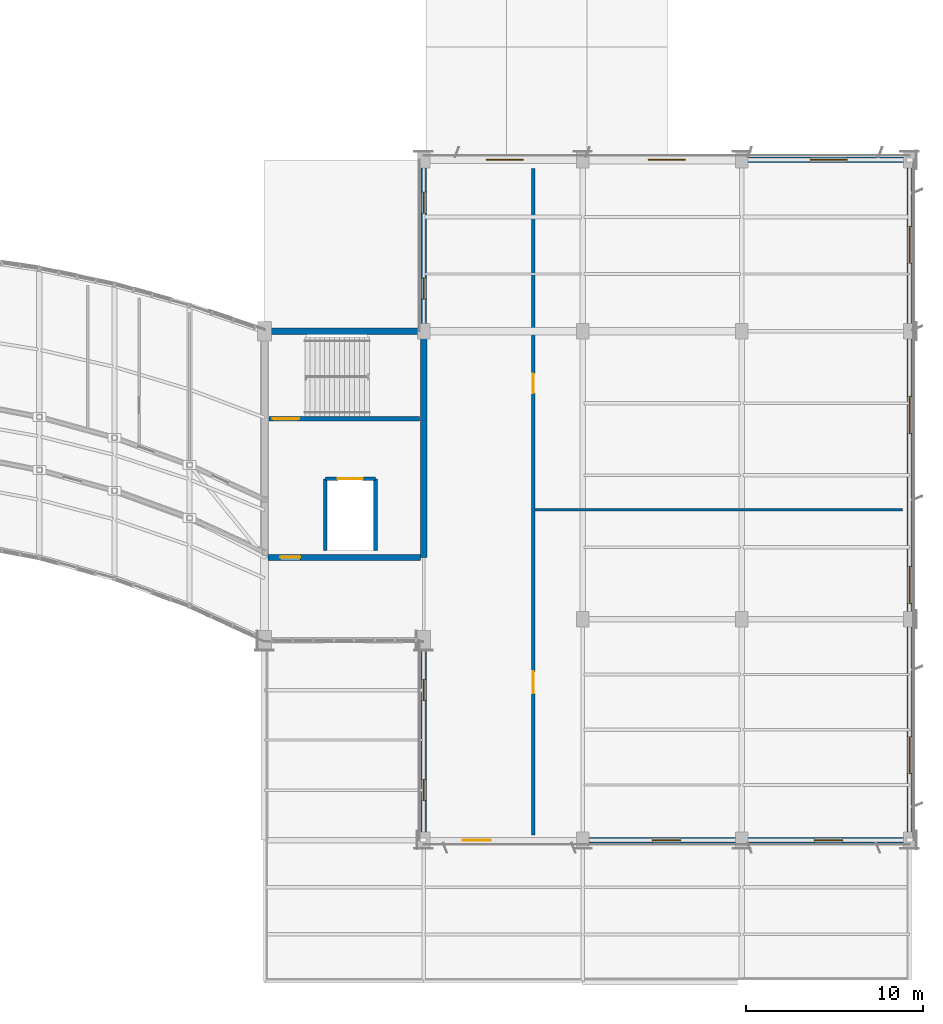
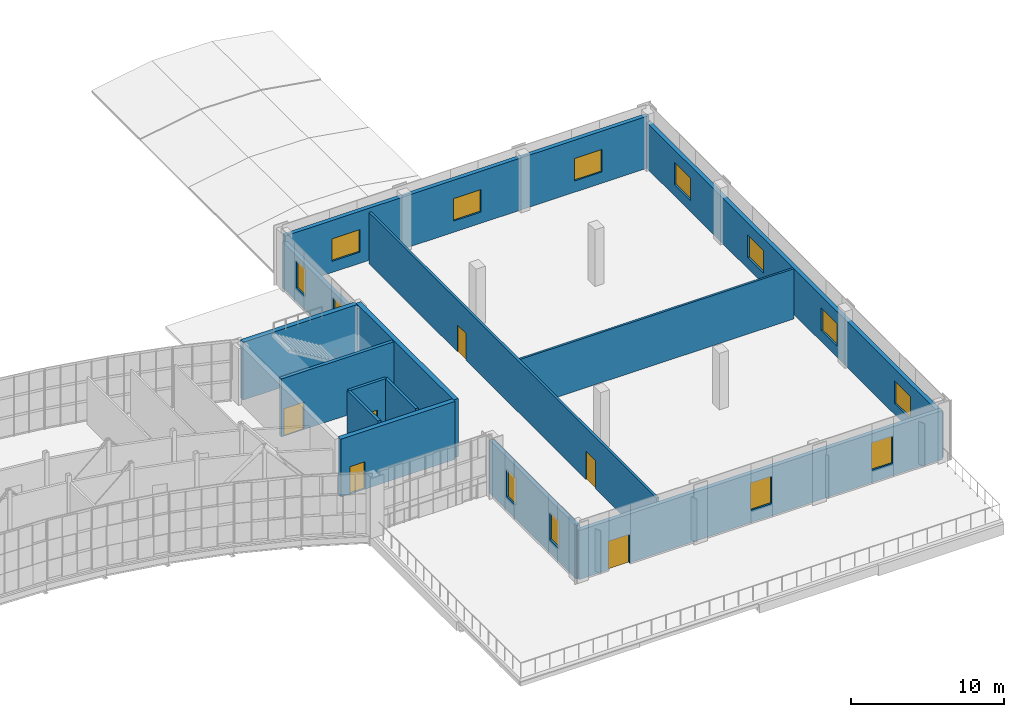
# One storey, part 72 of 86: 14 walls, 13 windows, 6 doors, 19 openings.
"""IFC4 building model written with IfcOpenShell, lengths in metres."""

from ifc_helpers import new_model, si_unit, direction, frame, frame_2d, origin, place, context, subcontext, project, spatial, rectangle, extrude, material, layer, layer_set, type_object, element, fill, save


model = new_model("IFC4")

# Units and contexts
model_context = context("Model", 3, precision=1e-05, world=origin(), true_north=direction((0.0, 1.0)))
body_context = subcontext(model_context, "Body", "Model", "MODEL_VIEW")
ifc_project = project(units=[si_unit("LENGTHUNIT", "METRE"), si_unit("AREAUNIT", "SQUARE_METRE"), si_unit("VOLUMEUNIT", "CUBIC_METRE"), si_unit("PLANEANGLEUNIT", "RADIAN"), si_unit("MASSUNIT", "GRAM", prefix="KILO")], contexts=[model_context])

# Site, building, storey
site_placement = place(None, origin())
site = spatial("IfcSite", under=ifc_project, at=site_placement, CompositionType="ELEMENT")
building_placement = place(site_placement, origin())
building = spatial("IfcBuilding", under=site, at=building_placement, Name="Solvikara Media Centre", CompositionType="ELEMENT")
storey_placement = place(building_placement, frame((0.0, 0.0, 15.0)))
storey = spatial("IfcBuildingStorey", under=building, at=storey_placement, Name="L03", CompositionType="ELEMENT", Elevation=15.0)

# Walls
ifc_material_1 = material(Name="Concrete fc' 45 MPa (C45/55)", Category="concrete")
ifc_layer_1 = layer(ifc_material_1, 0.35009765625)
ifc_layer_set_1 = layer_set([ifc_layer_1], Name="Concrete fc' 45 MPa (C45/55)")
wall_type_1 = type_object("IfcWallType", Name="WT-03", PredefinedType="SHEAR", material=ifc_layer_set_1)
wall_1_placement = place(storey_placement, frame((136.5, 24.0, 0.0), z_axis=(0.0, 0.0, 1.0), x_axis=(0.0, 1.0, 0.0)))
element("IfcWall", 1, at=wall_1_placement, inside=storey, type_object=wall_type_1, Name="CW-C4-L03-E", PredefinedType="SHEAR", context=body_context, shape_type="SweptSolid", body=[
    extrude(rectangle(XDim=12.800048828125, YDim=0.35009765625, at=frame_2d((6.39990234375, 0.0))), origin(), (0.0, 0.0, 1.0), 4.639892578125),
])
wall_2_placement = place(storey_placement, frame((127.675048828125, 36.800048828125, 0.0), z_axis=(0.0, 0.0, 1.0), x_axis=(1.0, 0.0, 0.0)))
element("IfcWall", 2, at=wall_2_placement, inside=storey, type_object=wall_type_1, Name="CW-C4-L03-N", PredefinedType="SHEAR", context=body_context, shape_type="SweptSolid", body=[
    extrude(rectangle(XDim=8.64990234375, YDim=0.35009765625, at=frame_2d((4.324951171875, 0.0))), origin(), (0.0, 0.0, 1.0), 4.639892578125),
])

# Wall, opening, door
wall_3_placement = place(storey_placement, frame((127.675048828125, 24.0, 0.0), z_axis=(0.0, 0.0, 1.0), x_axis=(1.0, 0.0, 0.0)))
wall_3 = element("IfcWall", 3, at=wall_3_placement, inside=storey, type_object=wall_type_1, Name="CW-C4-L03-S", PredefinedType="SHEAR", context=body_context, shape_type="SweptSolid", body=[
    extrude(rectangle(XDim=8.64990234375, YDim=0.35009765625, at=frame_2d((4.324951171875, 0.0))), origin(), (0.0, 0.0, 1.0), 4.639892578125),
])
opening_1_placement = place(wall_3_placement, frame((0.699951171875, 0.0, 0.0)))
opening_1 = element("IfcOpeningElement", 4, at=opening_1_placement, cuts=wall_3, Name="Opening D-C4-L03-LOB", PredefinedType="OPENING", context=body_context, shape_type="SweptSolid", body=[
    extrude(rectangle(XDim=1.14990234375, YDim=2.199951171875, at=frame_2d((0.574951171875, 1.10009765625))), frame((0.0, 0.18701171875, 0.0), z_axis=(0.0, -1.0, 0.0), x_axis=(1.0, 0.0, 0.0)), (0.0, 0.0, 1.0), 0.3740234375),
])
ifc_material_2 = material(Name="Insulated fire-rated steel door leaf", Category="steel")
door_type_1 = type_object("IfcDoorType", Name="DT-09", OperationType="NOTDEFINED", PredefinedType="DOOR", material=ifc_material_2)
door_1_placement = place(opening_1_placement, frame((1.14990234375, 0.0, 0.0), z_axis=(0.0, 0.0, 1.0), x_axis=(-1.0, 0.0, 0.0)))
door_1 = element("IfcDoor", 5, at=door_1_placement, inside=storey, type_object=door_type_1, Name="D-C4-L03-LOB", OperationType="SINGLE_SWING_RIGHT", OverallHeight=2.199951171875, OverallWidth=1.14990234375, PredefinedType="DOOR", context=body_context, shape_type="SweptSolid", body=[
    extrude(rectangle(XDim=1.14990234375, YDim=2.199951171875, at=frame_2d((0.574951171875, 1.10009765625))), frame((0.0, 0.02490234375, 0.0), z_axis=(0.0, -1.0, 0.0), x_axis=(1.0, 0.0, 0.0)), (0.0, 0.0, 1.0), 0.050048828125),
])
fill(opening_1, door_1)

ifc_layer_2 = layer(ifc_material_1, 0.25)
ifc_layer_set_2 = layer_set([ifc_layer_2], Name="Concrete fc' 45 MPa (C45/55)")
wall_type_2 = type_object("IfcWallType", Name="WT-07", PredefinedType="STANDARD", material=ifc_layer_set_2)
wall_4_placement = place(storey_placement, frame((127.75, 31.85009765625, 0.0), z_axis=(0.0, 0.0, 1.0), x_axis=(1.0, 0.0, 0.0)))
wall_4 = element("IfcWall", 6, at=wall_4_placement, inside=storey, type_object=wall_type_2, Name="CW-C4-L03-SD", PredefinedType="STANDARD", context=body_context, shape_type="SweptSolid", body=[
    extrude(rectangle(XDim=8.5, YDim=0.25, at=frame_2d((4.25, 0.0))), origin(), (0.0, 0.0, 1.0), 4.639892578125),
])
opening_2_placement = place(wall_4_placement, frame((0.199951171875, 0.0, 0.0)))
opening_2 = element("IfcOpeningElement", 7, at=opening_2_placement, cuts=wall_4, Name="Opening D-C4-L03-ST", PredefinedType="OPENING", context=body_context, shape_type="SweptSolid", body=[
    extrude(rectangle(XDim=1.5, YDim=2.199951171875, at=frame_2d((0.75, 1.10009765625))), frame((0.0, 0.136962890625, 0.0), z_axis=(0.0, -1.0, 0.0), x_axis=(1.0, 0.0, 0.0)), (0.0, 0.0, 1.0), 0.27392578125),
])
door_type_2 = type_object("IfcDoorType", Name="DT-08", OperationType="DOUBLE_DOOR_SINGLE_SWING", PredefinedType="DOOR", material=ifc_material_2)
door_2_placement = place(opening_2_placement, frame((1.5, 0.0, 0.0), z_axis=(0.0, 0.0, 1.0), x_axis=(-1.0, 0.0, 0.0)))
door_2 = element("IfcDoor", 8, at=door_2_placement, inside=storey, type_object=door_type_2, Name="D-C4-L03-ST", OperationType="DOUBLE_DOOR_SINGLE_SWING", OverallHeight=2.199951171875, OverallWidth=1.5, PredefinedType="DOOR", context=body_context, shape_type="SweptSolid", body=[
    extrude(rectangle(XDim=1.5, YDim=2.199951171875, at=frame_2d((0.75, 1.10009765625))), frame((0.0, 0.02490234375, 0.0), z_axis=(0.0, -1.0, 0.0), x_axis=(1.0, 0.0, 0.0)), (0.0, 0.0, 1.0), 0.050048828125),
])
fill(opening_2, door_2)

# Wall, openings, door, windows
ifc_material_3 = material(Name="Precast concrete fc' 40 MPa (C40/50)", Category="concrete")
ifc_layer_3 = layer(ifc_material_3, 0.31005859375)
ifc_layer_set_3 = layer_set([ifc_layer_3], Name="Precast concrete fc' 40 MPa (C40/50)")
wall_type_3 = type_object("IfcWallType", Name="WT-10", PredefinedType="STANDARD", material=ifc_layer_set_3)
wall_5_placement = place(storey_placement, frame((136.5, 8.0, 0.0), z_axis=(0.0, 0.0, 1.0), x_axis=(1.0, 0.0, 0.0)))
wall_5 = element("IfcWall", 9, at=wall_5_placement, inside=storey, type_object=wall_type_3, Name="EW-L03-V5-S", PredefinedType="STANDARD", context=body_context, shape_type="SweptSolid", body=[
    extrude(rectangle(XDim=27.5, YDim=0.31005859375, at=frame_2d((13.75, 0.0))), origin(), (0.0, 0.0, 1.0), 3.924072265625),
])
opening_3_placement = place(wall_5_placement, frame((2.199951171875, 0.0, 0.0)))
opening_3 = element("IfcOpeningElement", 10, at=opening_3_placement, cuts=wall_5, Name="Opening TD-L03-V5S", PredefinedType="OPENING", context=body_context, shape_type="SweptSolid", body=[
    extrude(rectangle(XDim=1.60009765625, YDim=2.300048828125, at=frame_2d((0.800048828125, 1.14990234375))), frame((0.0, 0.1669921875, 0.0), z_axis=(0.0, -1.0, 0.0), x_axis=(1.0, 0.0, 0.0)), (0.0, 0.0, 1.0), 0.333984375),
])
opening_4_placement = place(wall_5_placement, frame((12.949951171875, 0.0, 1.0)))
opening_4 = element("IfcOpeningElement", 11, at=opening_4_placement, cuts=wall_5, Name="Opening W-L03-V5S-W02", PredefinedType="OPENING", context=body_context, shape_type="SweptSolid", body=[
    extrude(rectangle(XDim=1.60009765625, YDim=2.199951171875, at=frame_2d((0.800048828125, 1.10009765625))), frame((0.0, 0.1669921875, 0.0), z_axis=(0.0, -1.0, 0.0), x_axis=(1.0, 0.0, 0.0)), (0.0, 0.0, 1.0), 0.333984375),
])
opening_5_placement = place(wall_5_placement, frame((22.116943359375, 0.0, 1.0)))
opening_5 = element("IfcOpeningElement", 12, at=opening_5_placement, cuts=wall_5, Name="Opening W-L03-V5S-W03", PredefinedType="OPENING", context=body_context, shape_type="SweptSolid", body=[
    extrude(rectangle(XDim=1.60009765625, YDim=2.199951171875, at=frame_2d((0.800048828125, 1.10009765625))), frame((0.0, 0.1669921875, 0.0), z_axis=(0.0, -1.0, 0.0), x_axis=(1.0, 0.0, 0.0)), (0.0, 0.0, 1.0), 0.333984375),
])
ifc_material_4 = material(Name="Anodised aluminium EN AW-6063", Category="aluminium")
door_type_3 = type_object("IfcDoorType", Name="DT-04", OperationType="DOUBLE_DOOR_SINGLE_SWING", PredefinedType="DOOR", material=ifc_material_4)
door_3_placement = place(opening_3_placement, frame((1.60009765625, 0.0, 0.0), z_axis=(0.0, 0.0, 1.0), x_axis=(-1.0, 0.0, 0.0)))
door_3 = element("IfcDoor", 13, at=door_3_placement, inside=storey, type_object=door_type_3, Name="TD-L03-V5S", OperationType="DOUBLE_DOOR_SINGLE_SWING", OverallHeight=2.300048828125, OverallWidth=1.60009765625, PredefinedType="DOOR", context=body_context, shape_type="SweptSolid", body=[
    extrude(rectangle(XDim=1.60009765625, YDim=2.300048828125, at=frame_2d((0.800048828125, 1.14990234375))), frame((0.0, 0.02490234375, 0.0), z_axis=(0.0, -1.0, 0.0), x_axis=(1.0, 0.0, 0.0)), (0.0, 0.0, 1.0), 0.050048828125),
])
fill(opening_3, door_3)
ifc_material_5 = material(Name="Double-glazed low-E architectural glass", Category="glass")
window_type_1 = type_object("IfcWindowType", Name="WN-07", PartitioningType="SINGLE_PANEL", PredefinedType="WINDOW", material=ifc_material_5)
window_1_placement = place(opening_4_placement, origin())
window_1 = element("IfcWindow", 14, at=window_1_placement, inside=storey, type_object=window_type_1, Name="W-L03-V5S-W02", OverallHeight=2.199951171875, OverallWidth=1.60009765625, PartitioningType="SINGLE_PANEL", PredefinedType="WINDOW", context=body_context, shape_type="SweptSolid", body=[
    extrude(rectangle(XDim=1.60009765625, YDim=2.199951171875, at=frame_2d((0.800048828125, 1.10009765625))), frame((0.0, 0.030029296875, 0.0), z_axis=(0.0, -1.0, 0.0), x_axis=(1.0, 0.0, 0.0)), (0.0, 0.0, 1.0), 0.06005859375),
])
fill(opening_4, window_1)
window_2_placement = place(opening_5_placement, origin())
window_2 = element("IfcWindow", 15, at=window_2_placement, inside=storey, type_object=window_type_1, Name="W-L03-V5S-W03", OverallHeight=2.199951171875, OverallWidth=1.60009765625, PartitioningType="SINGLE_PANEL", PredefinedType="WINDOW", context=body_context, shape_type="SweptSolid", body=[
    extrude(rectangle(XDim=1.60009765625, YDim=2.199951171875, at=frame_2d((0.800048828125, 1.10009765625))), frame((0.0, 0.030029296875, 0.0), z_axis=(0.0, -1.0, 0.0), x_axis=(1.0, 0.0, 0.0)), (0.0, 0.0, 1.0), 0.06005859375),
])
fill(opening_5, window_2)

# Wall, openings, windows
wall_6_placement = place(storey_placement, frame((136.5, 8.0, 0.0), z_axis=(0.0, 0.0, 1.0), x_axis=(0.0, 1.0, 0.0)))
wall_6 = element("IfcWall", 16, at=wall_6_placement, inside=storey, type_object=wall_type_3, Name="EW-L03-V5-W", PredefinedType="STANDARD", context=body_context, shape_type="SweptSolid", body=[
    extrude(rectangle(XDim=11.323974609375, YDim=0.31005859375, at=frame_2d((5.662109375, 0.0))), origin(), (0.0, 0.0, 1.0), 4.26806640625),
])
opening_6_placement = place(wall_6_placement, frame((2.23095703125, 0.0, 1.10009765625)))
opening_6 = element("IfcOpeningElement", 17, at=opening_6_placement, cuts=wall_6, Name="Opening W-L03-V5W-W01", PredefinedType="OPENING", context=body_context, shape_type="SweptSolid", body=[
    extrude(rectangle(XDim=1.199951171875, YDim=2.199951171875, at=frame_2d((0.60009765625, 1.10009765625))), frame((0.0, 0.1669921875, 0.0), z_axis=(0.0, -1.0, 0.0), x_axis=(1.0, 0.0, 0.0)), (0.0, 0.0, 1.0), 0.333984375),
])
opening_7_placement = place(wall_6_placement, frame((7.89306640625, 0.0, 1.10009765625)))
opening_7 = element("IfcOpeningElement", 18, at=opening_7_placement, cuts=wall_6, Name="Opening W-L03-V5W-W02", PredefinedType="OPENING", context=body_context, shape_type="SweptSolid", body=[
    extrude(rectangle(XDim=1.199951171875, YDim=2.199951171875, at=frame_2d((0.60009765625, 1.10009765625))), frame((0.0, 0.1669921875, 0.0), z_axis=(0.0, -1.0, 0.0), x_axis=(1.0, 0.0, 0.0)), (0.0, 0.0, 1.0), 0.333984375),
])
window_type_2 = type_object("IfcWindowType", Name="WN-06", PartitioningType="SINGLE_PANEL", PredefinedType="WINDOW", material=ifc_material_5)
window_3_placement = place(opening_6_placement, origin())
window_3 = element("IfcWindow", 19, at=window_3_placement, inside=storey, type_object=window_type_2, Name="W-L03-V5W-W01", OverallHeight=2.199951171875, OverallWidth=1.199951171875, PartitioningType="SINGLE_PANEL", PredefinedType="WINDOW", context=body_context, shape_type="SweptSolid", body=[
    extrude(rectangle(XDim=1.199951171875, YDim=2.199951171875, at=frame_2d((0.60009765625, 1.10009765625))), frame((0.0, 0.030029296875, 0.0), z_axis=(0.0, -1.0, 0.0), x_axis=(1.0, 0.0, 0.0)), (0.0, 0.0, 1.0), 0.06005859375),
])
fill(opening_6, window_3)
window_4_placement = place(opening_7_placement, origin())
window_4 = element("IfcWindow", 20, at=window_4_placement, inside=storey, type_object=window_type_2, Name="W-L03-V5W-W02", OverallHeight=2.199951171875, OverallWidth=1.199951171875, PartitioningType="SINGLE_PANEL", PredefinedType="WINDOW", context=body_context, shape_type="SweptSolid", body=[
    extrude(rectangle(XDim=1.199951171875, YDim=2.199951171875, at=frame_2d((0.60009765625, 1.10009765625))), frame((0.0, 0.030029296875, 0.0), z_axis=(0.0, -1.0, 0.0), x_axis=(1.0, 0.0, 0.0)), (0.0, 0.0, 1.0), 0.06005859375),
])
fill(opening_7, window_4)

wall_7_placement = place(storey_placement, frame((136.5, 36.800048828125, 0.0), z_axis=(0.0, 0.0, 1.0), x_axis=(0.0, 1.0, 0.0)))
wall_7 = element("IfcWall", 21, at=wall_7_placement, inside=storey, type_object=wall_type_3, Name="EW-L03-V5-WN", PredefinedType="STANDARD", context=body_context, shape_type="SweptSolid", body=[
    extrude(rectangle(XDim=9.699951171875, YDim=0.31005859375, at=frame_2d((4.85009765625, 0.0))), origin(), (0.0, 0.0, 1.0), 3.669921875),
])
opening_8_placement = place(wall_7_placement, frame((1.824951171875, 0.0, 1.10009765625)))
opening_8 = element("IfcOpeningElement", 22, at=opening_8_placement, cuts=wall_7, Name="Opening W-L03-V5WN-W01", PredefinedType="OPENING", context=body_context, shape_type="SweptSolid", body=[
    extrude(rectangle(XDim=1.199951171875, YDim=2.199951171875, at=frame_2d((0.60009765625, 1.10009765625))), frame((0.0, 0.1669921875, 0.0), z_axis=(0.0, -1.0, 0.0), x_axis=(1.0, 0.0, 0.0)), (0.0, 0.0, 1.0), 0.333984375),
])
opening_9_placement = place(wall_7_placement, frame((6.675048828125, 0.0, 1.10009765625)))
opening_9 = element("IfcOpeningElement", 23, at=opening_9_placement, cuts=wall_7, Name="Opening W-L03-V5WN-W02", PredefinedType="OPENING", context=body_context, shape_type="SweptSolid", body=[
    extrude(rectangle(XDim=1.199951171875, YDim=2.199951171875, at=frame_2d((0.60009765625, 1.10009765625))), frame((0.0, 0.1669921875, 0.0), z_axis=(0.0, -1.0, 0.0), x_axis=(1.0, 0.0, 0.0)), (0.0, 0.0, 1.0), 0.333984375),
])
window_5_placement = place(opening_8_placement, origin())
window_5 = element("IfcWindow", 24, at=window_5_placement, inside=storey, type_object=window_type_2, Name="W-L03-V5WN-W01", OverallHeight=2.199951171875, OverallWidth=1.199951171875, PartitioningType="SINGLE_PANEL", PredefinedType="WINDOW", context=body_context, shape_type="SweptSolid", body=[
    extrude(rectangle(XDim=1.199951171875, YDim=2.199951171875, at=frame_2d((0.60009765625, 1.10009765625))), frame((0.0, 0.030029296875, 0.0), z_axis=(0.0, -1.0, 0.0), x_axis=(1.0, 0.0, 0.0)), (0.0, 0.0, 1.0), 0.06005859375),
])
fill(opening_8, window_5)
window_6_placement = place(opening_9_placement, origin())
window_6 = element("IfcWindow", 25, at=window_6_placement, inside=storey, type_object=window_type_2, Name="W-L03-V5WN-W02", OverallHeight=2.199951171875, OverallWidth=1.199951171875, PartitioningType="SINGLE_PANEL", PredefinedType="WINDOW", context=body_context, shape_type="SweptSolid", body=[
    extrude(rectangle(XDim=1.199951171875, YDim=2.199951171875, at=frame_2d((0.60009765625, 1.10009765625))), frame((0.0, 0.030029296875, 0.0), z_axis=(0.0, -1.0, 0.0), x_axis=(1.0, 0.0, 0.0)), (0.0, 0.0, 1.0), 0.06005859375),
])
fill(opening_9, window_6)

wall_8_placement = place(storey_placement, frame((164.0, 8.0, 0.0), z_axis=(0.0, 0.0, 1.0), x_axis=(0.0, 1.0, 0.0)))
wall_8 = element("IfcWall", 26, at=wall_8_placement, inside=storey, type_object=wall_type_3, Name="EW-L03-V5-E", PredefinedType="STANDARD", context=body_context, shape_type="SweptSolid", body=[
    extrude(rectangle(XDim=38.5, YDim=0.31005859375, at=frame_2d((19.25, 0.0))), origin(), (0.0, 0.0, 1.0), 3.669921875),
])
opening_10_placement = place(wall_8_placement, frame((3.762939453125, 0.0, 0.89990234375)))
opening_10 = element("IfcOpeningElement", 27, at=opening_10_placement, cuts=wall_8, Name="Opening W-L03-V5E-W01", PredefinedType="OPENING", context=body_context, shape_type="SweptSolid", body=[
    extrude(rectangle(XDim=2.10009765625, YDim=1.800048828125, at=frame_2d((1.050048828125, 0.89990234375))), frame((0.0, 0.1669921875, 0.0), z_axis=(0.0, -1.0, 0.0), x_axis=(1.0, 0.0, 0.0)), (0.0, 0.0, 1.0), 0.333984375),
])
opening_11_placement = place(wall_8_placement, frame((13.386962890625, 0.0, 0.89990234375)))
opening_11 = element("IfcOpeningElement", 28, at=opening_11_placement, cuts=wall_8, Name="Opening W-L03-V5E-W02", PredefinedType="OPENING", context=body_context, shape_type="SweptSolid", body=[
    extrude(rectangle(XDim=2.10009765625, YDim=1.800048828125, at=frame_2d((1.050048828125, 0.89990234375))), frame((0.0, 0.1669921875, 0.0), z_axis=(0.0, -1.0, 0.0), x_axis=(1.0, 0.0, 0.0)), (0.0, 0.0, 1.0), 0.333984375),
])
opening_12_placement = place(wall_8_placement, frame((23.011962890625, 0.0, 0.89990234375)))
opening_12 = element("IfcOpeningElement", 29, at=opening_12_placement, cuts=wall_8, Name="Opening W-L03-V5E-W03", PredefinedType="OPENING", context=body_context, shape_type="SweptSolid", body=[
    extrude(rectangle(XDim=2.10009765625, YDim=1.800048828125, at=frame_2d((1.050048828125, 0.89990234375))), frame((0.0, 0.1669921875, 0.0), z_axis=(0.0, -1.0, 0.0), x_axis=(1.0, 0.0, 0.0)), (0.0, 0.0, 1.0), 0.333984375),
])
opening_13_placement = place(wall_8_placement, frame((32.637939453125, 0.0, 0.89990234375)))
opening_13 = element("IfcOpeningElement", 30, at=opening_13_placement, cuts=wall_8, Name="Opening W-L03-V5E-W04", PredefinedType="OPENING", context=body_context, shape_type="SweptSolid", body=[
    extrude(rectangle(XDim=2.10009765625, YDim=1.800048828125, at=frame_2d((1.050048828125, 0.89990234375))), frame((0.0, 0.1669921875, 0.0), z_axis=(0.0, -1.0, 0.0), x_axis=(1.0, 0.0, 0.0)), (0.0, 0.0, 1.0), 0.333984375),
])
window_type_3 = type_object("IfcWindowType", Name="WN-04", PartitioningType="SINGLE_PANEL", PredefinedType="WINDOW", material=ifc_material_5)
window_7_placement = place(opening_10_placement, origin())
window_7 = element("IfcWindow", 31, at=window_7_placement, inside=storey, type_object=window_type_3, Name="W-L03-V5E-W01", OverallHeight=1.800048828125, OverallWidth=2.10009765625, PartitioningType="SINGLE_PANEL", PredefinedType="WINDOW", context=body_context, shape_type="SweptSolid", body=[
    extrude(rectangle(XDim=2.10009765625, YDim=1.800048828125, at=frame_2d((1.050048828125, 0.89990234375))), frame((0.0, 0.030029296875, 0.0), z_axis=(0.0, -1.0, 0.0), x_axis=(1.0, 0.0, 0.0)), (0.0, 0.0, 1.0), 0.06005859375),
])
fill(opening_10, window_7)
window_8_placement = place(opening_11_placement, origin())
window_8 = element("IfcWindow", 32, at=window_8_placement, inside=storey, type_object=window_type_3, Name="W-L03-V5E-W02", OverallHeight=1.800048828125, OverallWidth=2.10009765625, PartitioningType="SINGLE_PANEL", PredefinedType="WINDOW", context=body_context, shape_type="SweptSolid", body=[
    extrude(rectangle(XDim=2.10009765625, YDim=1.800048828125, at=frame_2d((1.050048828125, 0.89990234375))), frame((0.0, 0.030029296875, 0.0), z_axis=(0.0, -1.0, 0.0), x_axis=(1.0, 0.0, 0.0)), (0.0, 0.0, 1.0), 0.06005859375),
])
fill(opening_11, window_8)
window_9_placement = place(opening_12_placement, origin())
window_9 = element("IfcWindow", 33, at=window_9_placement, inside=storey, type_object=window_type_3, Name="W-L03-V5E-W03", OverallHeight=1.800048828125, OverallWidth=2.10009765625, PartitioningType="SINGLE_PANEL", PredefinedType="WINDOW", context=body_context, shape_type="SweptSolid", body=[
    extrude(rectangle(XDim=2.10009765625, YDim=1.800048828125, at=frame_2d((1.050048828125, 0.89990234375))), frame((0.0, 0.030029296875, 0.0), z_axis=(0.0, -1.0, 0.0), x_axis=(1.0, 0.0, 0.0)), (0.0, 0.0, 1.0), 0.06005859375),
])
fill(opening_12, window_9)
window_10_placement = place(opening_13_placement, origin())
window_10 = element("IfcWindow", 34, at=window_10_placement, inside=storey, type_object=window_type_3, Name="W-L03-V5E-W04", OverallHeight=1.800048828125, OverallWidth=2.10009765625, PartitioningType="SINGLE_PANEL", PredefinedType="WINDOW", context=body_context, shape_type="SweptSolid", body=[
    extrude(rectangle(XDim=2.10009765625, YDim=1.800048828125, at=frame_2d((1.050048828125, 0.89990234375))), frame((0.0, 0.030029296875, 0.0), z_axis=(0.0, -1.0, 0.0), x_axis=(1.0, 0.0, 0.0)), (0.0, 0.0, 1.0), 0.06005859375),
])
fill(opening_13, window_10)

wall_9_placement = place(storey_placement, frame((136.5, 46.5, 0.0), z_axis=(0.0, 0.0, 1.0), x_axis=(1.0, 0.0, 0.0)))
wall_9 = element("IfcWall", 35, at=wall_9_placement, inside=storey, type_object=wall_type_3, Name="EW-L03-V5-N", PredefinedType="STANDARD", context=body_context, shape_type="SweptSolid", body=[
    extrude(rectangle(XDim=27.5, YDim=0.31005859375, at=frame_2d((13.75, 0.0))), origin(), (0.0, 0.0, 1.0), 4.16796875),
])
opening_14_placement = place(wall_9_placement, frame((3.532958984375, 0.0, 0.89990234375)))
opening_14 = element("IfcOpeningElement", 36, at=opening_14_placement, cuts=wall_9, Name="Opening W-L03-V5N-W01", PredefinedType="OPENING", context=body_context, shape_type="SweptSolid", body=[
    extrude(rectangle(XDim=2.10009765625, YDim=1.800048828125, at=frame_2d((1.050048828125, 0.89990234375))), frame((0.0, 0.1669921875, 0.0), z_axis=(0.0, -1.0, 0.0), x_axis=(1.0, 0.0, 0.0)), (0.0, 0.0, 1.0), 0.333984375),
])
opening_15_placement = place(wall_9_placement, frame((12.699951171875, 0.0, 0.89990234375)))
opening_15 = element("IfcOpeningElement", 37, at=opening_15_placement, cuts=wall_9, Name="Opening W-L03-V5N-W02", PredefinedType="OPENING", context=body_context, shape_type="SweptSolid", body=[
    extrude(rectangle(XDim=2.10009765625, YDim=1.800048828125, at=frame_2d((1.050048828125, 0.89990234375))), frame((0.0, 0.1669921875, 0.0), z_axis=(0.0, -1.0, 0.0), x_axis=(1.0, 0.0, 0.0)), (0.0, 0.0, 1.0), 0.333984375),
])
opening_16_placement = place(wall_9_placement, frame((21.866943359375, 0.0, 0.89990234375)))
opening_16 = element("IfcOpeningElement", 38, at=opening_16_placement, cuts=wall_9, Name="Opening W-L03-V5N-W03", PredefinedType="OPENING", context=body_context, shape_type="SweptSolid", body=[
    extrude(rectangle(XDim=2.10009765625, YDim=1.800048828125, at=frame_2d((1.050048828125, 0.89990234375))), frame((0.0, 0.1669921875, 0.0), z_axis=(0.0, -1.0, 0.0), x_axis=(1.0, 0.0, 0.0)), (0.0, 0.0, 1.0), 0.333984375),
])
window_11_placement = place(opening_14_placement, origin())
window_11 = element("IfcWindow", 39, at=window_11_placement, inside=storey, type_object=window_type_3, Name="W-L03-V5N-W01", OverallHeight=1.800048828125, OverallWidth=2.10009765625, PartitioningType="SINGLE_PANEL", PredefinedType="WINDOW", context=body_context, shape_type="SweptSolid", body=[
    extrude(rectangle(XDim=2.10009765625, YDim=1.800048828125, at=frame_2d((1.050048828125, 0.89990234375))), frame((0.0, 0.030029296875, 0.0), z_axis=(0.0, -1.0, 0.0), x_axis=(1.0, 0.0, 0.0)), (0.0, 0.0, 1.0), 0.06005859375),
])
fill(opening_14, window_11)
window_12_placement = place(opening_15_placement, origin())
window_12 = element("IfcWindow", 40, at=window_12_placement, inside=storey, type_object=window_type_3, Name="W-L03-V5N-W02", OverallHeight=1.800048828125, OverallWidth=2.10009765625, PartitioningType="SINGLE_PANEL", PredefinedType="WINDOW", context=body_context, shape_type="SweptSolid", body=[
    extrude(rectangle(XDim=2.10009765625, YDim=1.800048828125, at=frame_2d((1.050048828125, 0.89990234375))), frame((0.0, 0.030029296875, 0.0), z_axis=(0.0, -1.0, 0.0), x_axis=(1.0, 0.0, 0.0)), (0.0, 0.0, 1.0), 0.06005859375),
])
fill(opening_15, window_12)
window_13_placement = place(opening_16_placement, origin())
window_13 = element("IfcWindow", 41, at=window_13_placement, inside=storey, type_object=window_type_3, Name="W-L03-V5N-W03", OverallHeight=1.800048828125, OverallWidth=2.10009765625, PartitioningType="SINGLE_PANEL", PredefinedType="WINDOW", context=body_context, shape_type="SweptSolid", body=[
    extrude(rectangle(XDim=2.10009765625, YDim=1.800048828125, at=frame_2d((1.050048828125, 0.89990234375))), frame((0.0, 0.030029296875, 0.0), z_axis=(0.0, -1.0, 0.0), x_axis=(1.0, 0.0, 0.0)), (0.0, 0.0, 1.0), 0.06005859375),
])
fill(opening_16, window_13)

# Walls
ifc_material_6 = material(Name="Fire-rated gypsum and mineral-wool shaft wall assembly")
ifc_layer_4 = layer(ifc_material_6, 0.2099609375)
ifc_layer_set_4 = layer_set([ifc_layer_4], Name="Fire-rated gypsum and mineral-wool shaft wall assembly")
wall_type_4 = type_object("IfcWallType", Name="WT-17", PredefinedType="PARTITIONING", material=ifc_layer_set_4)
for number, where, z_axis, x_axis, name in (
    (42, (130.929931640625, 24.39990234375, 0.0), (0.0, 0.0, 1.0), (0.0, 1.0, 0.0), "LW-LF-G1-L03-W"),
    (43, (133.77001953125, 24.39990234375, 0.0), (0.0, 0.0, 1.0), (0.0, 1.0, 0.0), "LW-LF-G1-L03-E"),
):
    element("IfcWall", number, at=place(storey_placement, frame(where, z_axis=z_axis, x_axis=x_axis)), inside=storey, type_object=wall_type_4, Name=name, PredefinedType="PARTITIONING", context=body_context, shape_type="SweptSolid", body=[
        extrude(rectangle(XDim=4.050048828125, YDim=0.2099609375, at=frame_2d((2.02490234375, 0.0))), origin(), (0.0, 0.0, 1.0), 4.639892578125),
    ])

# Wall, opening, door
wall_10_placement = place(storey_placement, frame((130.929931640625, 28.449951171875, 0.0), z_axis=(0.0, 0.0, 1.0), x_axis=(1.0, 0.0, 0.0)))
wall_10 = element("IfcWall", 44, at=wall_10_placement, inside=storey, type_object=wall_type_4, Name="LW-LF-G1-L03-N", PredefinedType="PARTITIONING", context=body_context, shape_type="SweptSolid", body=[
    extrude(rectangle(XDim=2.840087890625, YDim=0.2099609375, at=frame_2d((1.419921875, 0.0))), origin(), (0.0, 0.0, 1.0), 4.639892578125),
])
opening_17_placement = place(wall_10_placement, frame((0.719970703125, 0.0, 0.0)))
opening_17 = element("IfcOpeningElement", 45, at=opening_17_placement, cuts=wall_10, Name="Opening LD-LF-G1-L03", PredefinedType="OPENING", context=body_context, shape_type="SweptSolid", body=[
    extrude(rectangle(XDim=1.39990234375, YDim=2.35009765625, at=frame_2d((0.699951171875, 1.175048828125))), frame((0.0, 0.116943359375, 0.0), z_axis=(0.0, -1.0, 0.0), x_axis=(1.0, 0.0, 0.0)), (0.0, 0.0, 1.0), 0.23388671875),
])
door_type_4 = type_object("IfcDoorType", Name="LD-03", OperationType="DOUBLE_DOOR_SLIDING", PredefinedType="DOOR", material=ifc_material_2)
door_4_placement = place(opening_17_placement, origin())
door_4 = element("IfcDoor", 46, at=door_4_placement, inside=storey, type_object=door_type_4, Name="LD-LF-G1-L03", OperationType="DOUBLE_DOOR_SLIDING", OverallHeight=2.35009765625, OverallWidth=1.39990234375, PredefinedType="DOOR", context=body_context, shape_type="SweptSolid", body=[
    extrude(rectangle(XDim=1.39990234375, YDim=2.35009765625, at=frame_2d((0.699951171875, 1.175048828125))), frame((0.0, 0.02490234375, 0.0), z_axis=(0.0, -1.0, 0.0), x_axis=(1.0, 0.0, 0.0)), (0.0, 0.0, 1.0), 0.050048828125),
])
fill(opening_17, door_4)

# Wall, openings, doors
ifc_layer_5 = layer(ifc_material_6, 0.179931640625)
ifc_layer_set_5 = layer_set([ifc_layer_5], Name="Fire-rated gypsum and mineral-wool shaft wall assembly")
wall_type_5 = type_object("IfcWallType", Name="WT-18", PredefinedType="PARTITIONING", material=ifc_layer_set_5)
wall_11_placement = place(storey_placement, frame((142.699951171875, 8.300048828125, 0.0), z_axis=(0.0, 0.0, 1.0), x_axis=(0.0, 1.0, 0.0)))
wall_11 = element("IfcWall", 47, at=wall_11_placement, inside=storey, type_object=wall_type_5, Name="PW-L03-075", PredefinedType="PARTITIONING", context=body_context, shape_type="SweptSolid", body=[
    extrude(rectangle(XDim=37.699951171875, YDim=0.179931640625, at=frame_2d((18.85009765625, 0.0))), origin(), (0.0, 0.0, 1.0), 4.117919921875),
])
opening_18_placement = place(wall_11_placement, frame((8.0, 0.0, 0.0)))
opening_18 = element("IfcOpeningElement", 48, at=opening_18_placement, cuts=wall_11, Name="Opening D-L03-075-1", PredefinedType="OPENING", context=body_context, shape_type="SweptSolid", body=[
    extrude(rectangle(XDim=1.25, YDim=2.25, at=frame_2d((0.625, 1.125))), frame((0.0, 0.10205078125, 0.0), z_axis=(0.0, -1.0, 0.0), x_axis=(1.0, 0.0, 0.0)), (0.0, 0.0, 1.0), 0.203857421875),
])
opening_19_placement = place(wall_11_placement, frame((25.0, 0.0, 0.0)))
opening_19 = element("IfcOpeningElement", 49, at=opening_19_placement, cuts=wall_11, Name="Opening D-L03-075-2", PredefinedType="OPENING", context=body_context, shape_type="SweptSolid", body=[
    extrude(rectangle(XDim=1.10009765625, YDim=2.14990234375, at=frame_2d((0.550048828125, 1.074951171875))), frame((0.0, 0.10205078125, 0.0), z_axis=(0.0, -1.0, 0.0), x_axis=(1.0, 0.0, 0.0)), (0.0, 0.0, 1.0), 0.203857421875),
])
ifc_material_7 = material(Name="Solid core acoustic hardwood timber", Category="wood")
door_type_5 = type_object("IfcDoorType", Name="DT-15", OperationType="NOTDEFINED", PredefinedType="DOOR", material=ifc_material_7)
door_5_placement = place(opening_18_placement, origin())
door_5 = element("IfcDoor", 50, at=door_5_placement, inside=storey, type_object=door_type_5, Name="D-L03-075-1", OperationType="SINGLE_SWING_LEFT", OverallHeight=2.25, OverallWidth=1.25, PredefinedType="DOOR", context=body_context, shape_type="SweptSolid", body=[
    extrude(rectangle(XDim=1.25, YDim=2.25, at=frame_2d((0.625, 1.125))), frame((0.0, 0.02490234375, 0.0), z_axis=(0.0, -1.0, 0.0), x_axis=(1.0, 0.0, 0.0)), (0.0, 0.0, 1.0), 0.050048828125),
])
fill(opening_18, door_5)
door_type_6 = type_object("IfcDoorType", Name="DT-19", OperationType="NOTDEFINED", PredefinedType="DOOR", material=ifc_material_7)
door_6_placement = place(opening_19_placement, origin())
door_6 = element("IfcDoor", 51, at=door_6_placement, inside=storey, type_object=door_type_6, Name="D-L03-075-2", OperationType="SINGLE_SWING_RIGHT", OverallHeight=2.14990234375, OverallWidth=1.10009765625, PredefinedType="DOOR", context=body_context, shape_type="SweptSolid", body=[
    extrude(rectangle(XDim=1.10009765625, YDim=2.14990234375, at=frame_2d((0.550048828125, 1.074951171875))), frame((0.0, 0.02490234375, 0.0), z_axis=(0.0, -1.0, 0.0), x_axis=(1.0, 0.0, 0.0)), (0.0, 0.0, 1.0), 0.050048828125),
])
fill(opening_19, door_6)

# Wall
ifc_material_8 = material(Name="Double-stud acoustic gypsum partition assembly")
ifc_layer_6 = layer(ifc_material_8, 0.159912109375)
ifc_layer_set_6 = layer_set([ifc_layer_6], Name="Double-stud acoustic gypsum partition assembly")
wall_type_6 = type_object("IfcWallType", Name="WT-19", PredefinedType="PARTITIONING", material=ifc_layer_set_6)
wall_12_placement = place(storey_placement, frame((142.800048828125, 26.699951171875, 0.0), z_axis=(0.0, 0.0, 1.0), x_axis=(1.0, 0.0, 0.0)))
element("IfcWall", 52, at=wall_12_placement, inside=storey, type_object=wall_type_6, Name="PW-L03-076", PredefinedType="PARTITIONING", context=body_context, shape_type="SweptSolid", body=[
    extrude(rectangle(XDim=20.800048828125, YDim=0.159912109375, at=frame_2d((10.39990234375, 0.0))), origin(), (0.0, 0.0, 1.0), 4.01806640625),
])

save(model, "model.ifc")
